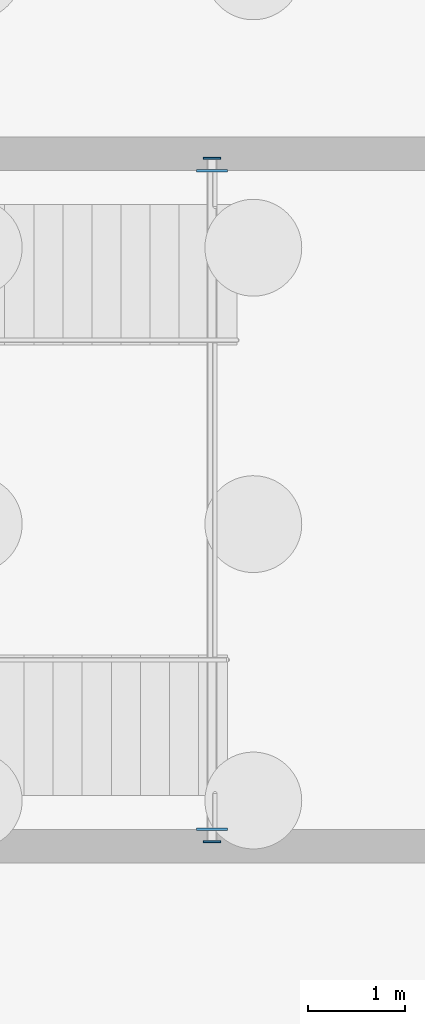
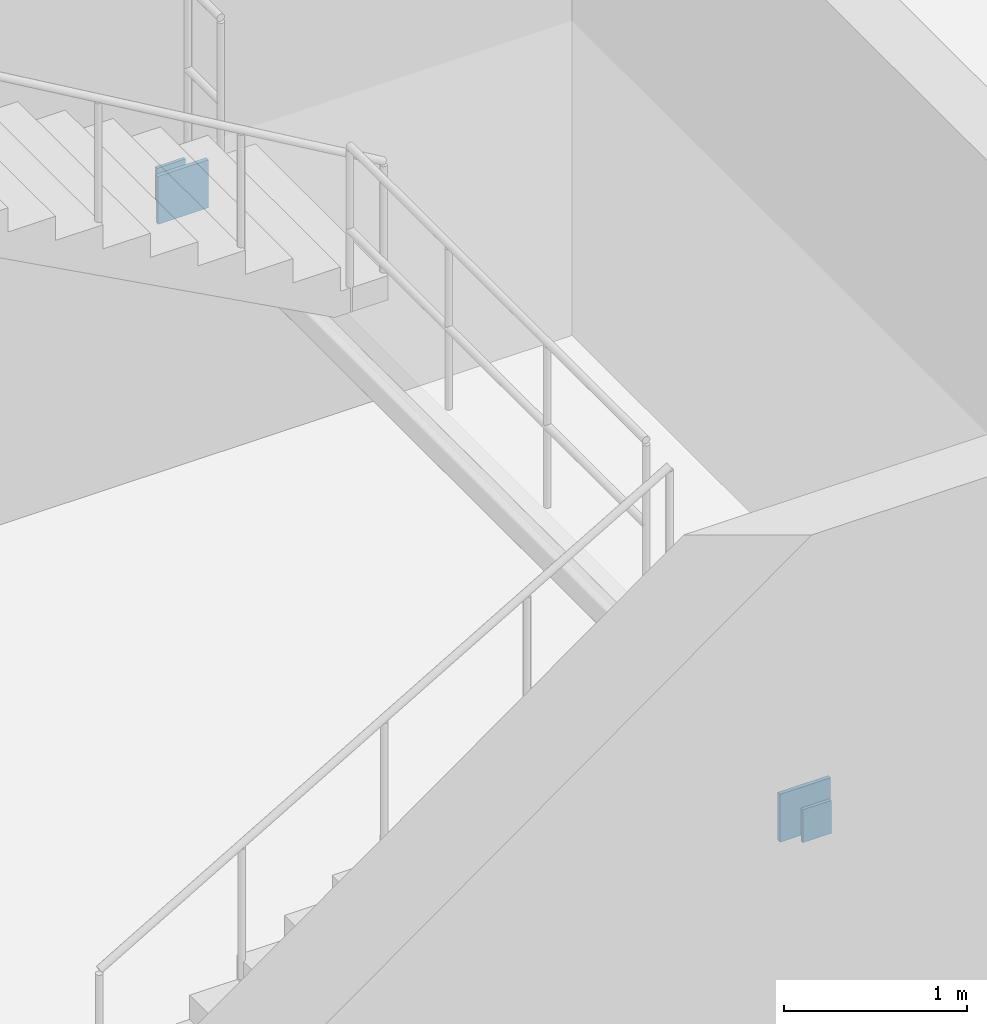
# One storey, part 20 of 36: 4 plates.
"""IFC4 building model written with IfcOpenShell, lengths in metres."""

from ifc_helpers import new_model, si_unit, direction, frame, origin, origin_2d, place, context, subcontext, project, spatial, rectangle, extrude, material, layer, layer_set, type_object, element, save


model = new_model("IFC4")

# Units and contexts
model_context = context("Model", 3, precision=1e-05, world=origin(), true_north=direction((0.0, 1.0)))
body_context = subcontext(model_context, "Body", "Model", "MODEL_VIEW")
ifc_project = project(units=[si_unit("LENGTHUNIT", "METRE"), si_unit("AREAUNIT", "SQUARE_METRE"), si_unit("VOLUMEUNIT", "CUBIC_METRE"), si_unit("PLANEANGLEUNIT", "RADIAN"), si_unit("MASSUNIT", "GRAM", prefix="KILO"), si_unit("THERMODYNAMICTEMPERATUREUNIT", "KELVIN"), si_unit("POWERUNIT", "WATT")], contexts=[model_context])

# Site, building, storey
site_placement = place(None, origin())
site = spatial("IfcSite", under=ifc_project, at=site_placement, CompositionType="ELEMENT")
building_placement = place(site_placement, origin())
building = spatial("IfcBuilding", under=site, at=building_placement, Name="Solvatero Civic Police Headquarters", CompositionType="ELEMENT")
storey_placement = place(building_placement, frame((0.0, 0.0, -8.39990234375)))
storey = spatial("IfcBuildingStorey", under=building, at=storey_placement, Name="B02", CompositionType="ELEMENT", Elevation=-8.39990234375)

# Plates
ifc_material = material(Name="Steel S355", Category="steel")
ifc_layer_1 = layer(ifc_material, 0.02001953125)
ifc_layer_set_1 = layer_set([ifc_layer_1], Name="Steel S355")
plate_type_1 = type_object("IfcPlateType", Name="PLT-CAP-20", PredefinedType="SHEET", material=ifc_layer_set_1)
for number, where, z_axis, x_axis, name in (
    (1, (89.93994140625, 75.070068359375, 1.71484375), (0.0, 0.0, 1.0), (1.0, 0.0, 0.0), "Hollow Section Cap Plate 0037"),
    (2, (89.93994140625, 82.1298828125, 1.71484375), (0.0, 0.0, 1.0), (1.0, 0.0, 0.0), "Hollow Section Cap Plate 0038"),
):
    element("IfcPlate", number, at=place(storey_placement, frame(where, z_axis=z_axis, x_axis=x_axis)), inside=storey, type_object=plate_type_1, Name=name, PredefinedType="SHEET", context=body_context, shape_type="SweptSolid", body=[
        extrude(rectangle(XDim=0.179931640625, YDim=0.02001953125, at=origin_2d()), origin(), (0.0, 0.0, 1.0), 0.219970703125),
    ])
ifc_layer_2 = layer(ifc_material, 0.02490234375)
ifc_layer_set_2 = layer_set([ifc_layer_2], Name="Steel S355")
plate_type_2 = type_object("IfcPlateType", Name="PLT-EMB-25", PredefinedType="SHEET", material=ifc_layer_set_2)
for number, where, z_axis, x_axis, name in (
    (3, (89.93994140625, 75.199951171875, 1.6650390625), (0.0, 0.0, 1.0), (1.0, 0.0, 0.0), "Cast-In Shear Wall Embed Plate 0037"),
    (4, (89.93994140625, 82.0, 1.6650390625), (0.0, 0.0, 1.0), (1.0, 0.0, 0.0), "Cast-In Shear Wall Embed Plate 0038"),
):
    element("IfcPlate", number, at=place(storey_placement, frame(where, z_axis=z_axis, x_axis=x_axis)), inside=storey, type_object=plate_type_2, Name=name, PredefinedType="SHEET", context=body_context, shape_type="SweptSolid", body=[
        extrude(rectangle(XDim=0.320068359375, YDim=0.02490234375, at=origin_2d()), origin(), (0.0, 0.0, 1.0), 0.320068359375),
    ])

save(model, "model.ifc")
